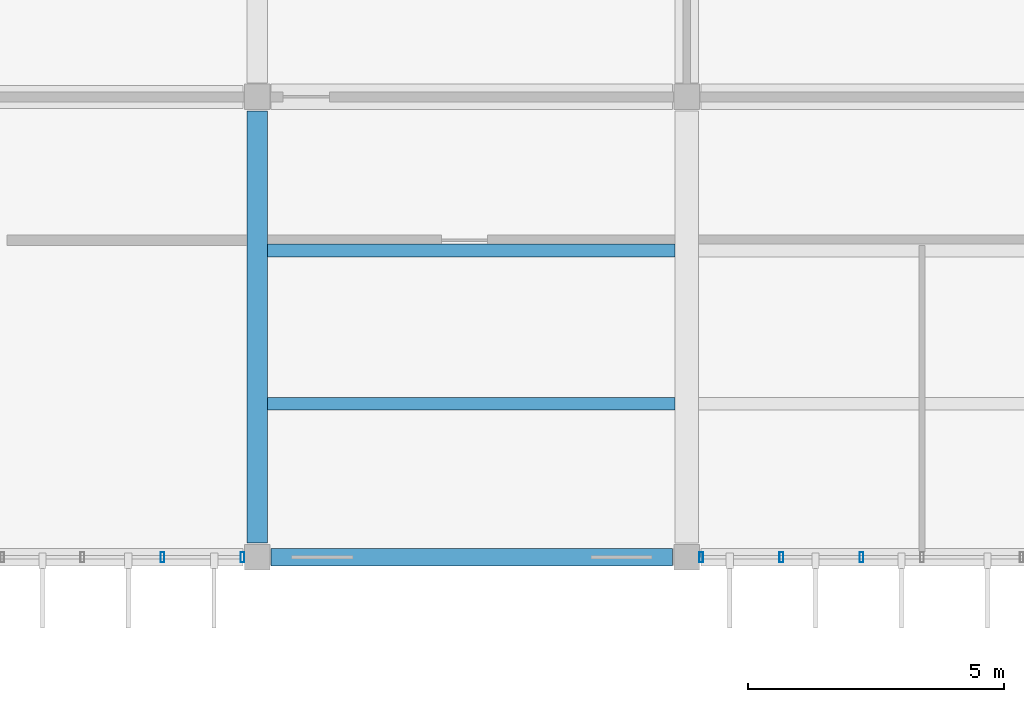
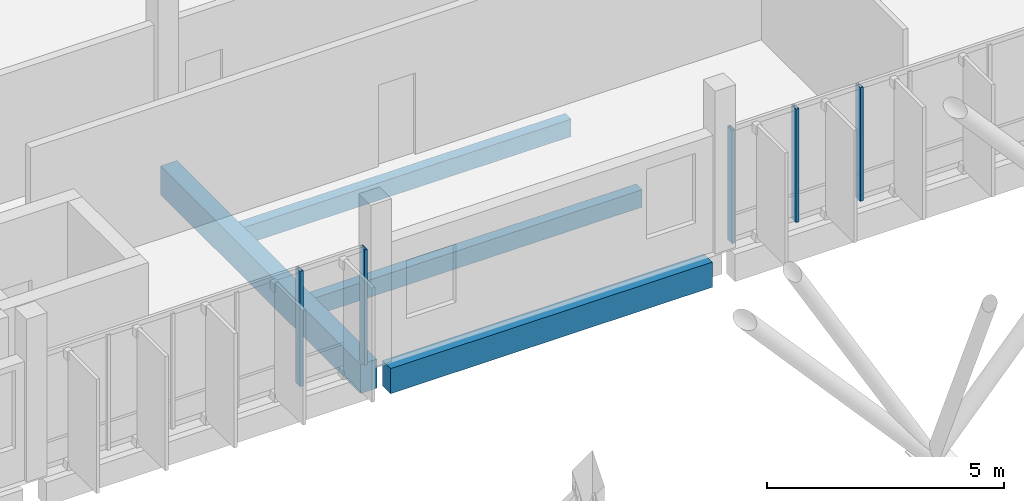
# One storey, part 48 of 107: 5 members, 4 beams, 2 elements without a shape of their own.
"""IFC4 building model written with IfcOpenShell, lengths in metres."""

from ifc_helpers import new_model, si_unit, direction, frame, origin, origin_2d, place, context, subcontext, project, spatial, rectangle, hollow_rectangle, extrude, material, layer, layer_set, material_profile, profile_set, type_object, element, aggregate, save


model = new_model("IFC4")

# Units and contexts
model_context = context("Model", 3, precision=1e-05, world=origin(), true_north=direction((0.0, 1.0)))
body_context = subcontext(model_context, "Body", "Model", "MODEL_VIEW")
ifc_project = project(units=[si_unit("LENGTHUNIT", "METRE"), si_unit("AREAUNIT", "SQUARE_METRE"), si_unit("VOLUMEUNIT", "CUBIC_METRE"), si_unit("PLANEANGLEUNIT", "RADIAN"), si_unit("MASSUNIT", "GRAM", prefix="KILO")], contexts=[model_context])

# Site, building, storey
site_placement = place(None, origin())
site = spatial("IfcSite", under=ifc_project, at=site_placement, CompositionType="ELEMENT")
building_placement = place(site_placement, origin())
building = spatial("IfcBuilding", under=site, at=building_placement, Name="Vireocrest Preparatory School", CompositionType="ELEMENT")
storey_placement = place(building_placement, frame((0.0, 0.0, 13.199951171875)))
storey = spatial("IfcBuildingStorey", under=building, at=storey_placement, Name="L03", CompositionType="ELEMENT", Elevation=13.199951171875)

# Curtain wall, members
ifc_material_1 = material(Name="Thermally broken aluminium EN AW-6063-T6", Category="aluminium")
ifc_layer_1 = layer(ifc_material_1, 0.179931640625)
ifc_layer_set_1 = layer_set([ifc_layer_1], Name="Thermally broken aluminium EN AW-6063-T6")
curtain_wall_type_1 = type_object("IfcCurtainWallType", Name="Library Reading Bay Glazing 7600x4200", PredefinedType="USERDEFINED", material=ifc_layer_set_1)
curtain_wall_1_placement = place(storey_placement, origin())
curtain_wall_1 = element("IfcCurtainWall", 1, at=curtain_wall_1_placement, inside=storey, type_object=curtain_wall_type_1, Name="Curtain Wall CW16 CW_L03_CW16_0590_0948_132", ObjectType="CURTAIN WALL", PredefinedType="USERDEFINED")
ifc_material_profile_1 = material_profile(ifc_material_1, hollow_rectangle(XDim=0.074951171875, YDim=0.199951171875, WallThickness=0.0048828125, at=origin_2d()), Name="ALU 75x200x5")
ifc_profile_set_1 = profile_set([ifc_material_profile_1], Name="Thermally broken aluminium EN AW-6063-T6")
member_type = type_object("IfcMemberType", Name="CW Mullion 75x200x5", PredefinedType="MULLION", material=ifc_profile_set_1)
member_1_placement = place(storey_placement, frame((65.34912109375, 94.800048828125, 0.0), z_axis=(0.0, 0.0, 1.0), x_axis=(1.0, 0.0, 0.0)))
member_1 = element("IfcMember", 2, at=member_1_placement, type_object=member_type, Name="CW Mullion ML3 CW_L03_CW16_0590_0948_132-5", PredefinedType="MULLION", context=body_context, shape_type="SweptSolid", body=[
    extrude(hollow_rectangle(XDim=0.074951171875, YDim=0.199951171875, WallThickness=0.0048828125, at=origin_2d()), origin(), (0.0, 0.0, 1.0), 2.97509765625),
])
member_2_placement = place(storey_placement, frame((66.9150390625, 94.800048828125, 0.0), z_axis=(0.0, 0.0, 1.0), x_axis=(1.0, 0.0, 0.0)))
member_2 = element("IfcMember", 3, at=member_2_placement, type_object=member_type, Name="CW Mullion ML3 CW_L03_CW16_0590_0948_132-6", PredefinedType="MULLION", context=body_context, shape_type="SweptSolid", body=[
    extrude(hollow_rectangle(XDim=0.074951171875, YDim=0.199951171875, WallThickness=0.0048828125, at=origin_2d()), origin(), (0.0, 0.0, 1.0), 2.97509765625),
])
aggregate(curtain_wall_1, [member_1, member_2])

ifc_layer_2 = layer(ifc_material_1, 0.179931640625)
ifc_layer_set_2 = layer_set([ifc_layer_2], Name="Thermally broken aluminium EN AW-6063-T6")
curtain_wall_type_2 = type_object("IfcCurtainWallType", Name="Setback Terrace Glazing 7600x3200", PredefinedType="USERDEFINED", material=ifc_layer_set_2)
curtain_wall_2_placement = place(storey_placement, origin())
curtain_wall_2 = element("IfcCurtainWall", 4, at=curtain_wall_2_placement, inside=storey, type_object=curtain_wall_type_2, Name="Curtain Wall CW17 CW_L03_CW17_0758_0948_132", ObjectType="CURTAIN WALL", PredefinedType="USERDEFINED")
member_3_placement = place(storey_placement, frame((75.885009765625, 94.800048828125, 0.0), z_axis=(0.0, 0.0, 1.0), x_axis=(1.0, 0.0, 0.0)))
member_3 = element("IfcMember", 5, at=member_3_placement, type_object=member_type, Name="CW Mullion ML3 CW_L03_CW17_0758_0948_132-1", PredefinedType="MULLION", context=body_context, shape_type="SweptSolid", body=[
    extrude(hollow_rectangle(XDim=0.074951171875, YDim=0.199951171875, WallThickness=0.0048828125, at=origin_2d()), origin(), (0.0, 0.0, 1.0), 2.925048828125),
])
member_4_placement = place(storey_placement, frame((77.450927734375, 94.800048828125, 0.0), z_axis=(0.0, 0.0, 1.0), x_axis=(1.0, 0.0, 0.0)))
member_4 = element("IfcMember", 6, at=member_4_placement, type_object=member_type, Name="CW Mullion ML3 CW_L03_CW17_0758_0948_132-2", PredefinedType="MULLION", context=body_context, shape_type="SweptSolid", body=[
    extrude(hollow_rectangle(XDim=0.074951171875, YDim=0.199951171875, WallThickness=0.0048828125, at=origin_2d()), origin(), (0.0, 0.0, 1.0), 2.925048828125),
])
member_5_placement = place(storey_placement, frame((79.01708984375, 94.800048828125, 0.0), z_axis=(0.0, 0.0, 1.0), x_axis=(1.0, 0.0, 0.0)))
member_5 = element("IfcMember", 7, at=member_5_placement, type_object=member_type, Name="CW Mullion ML3 CW_L03_CW17_0758_0948_132-3", PredefinedType="MULLION", context=body_context, shape_type="SweptSolid", body=[
    extrude(hollow_rectangle(XDim=0.074951171875, YDim=0.199951171875, WallThickness=0.0048828125, at=origin_2d()), origin(), (0.0, 0.0, 1.0), 2.925048828125),
])
aggregate(curtain_wall_2, [member_3, member_4, member_5])

# Beams
ifc_material_2 = material(Name="Concrete 40 MPa", Category="concrete")
ifc_material_profile_2 = material_profile(ifc_material_2, rectangle(XDim=0.35009765625, YDim=0.64990234375, at=origin_2d()), Name="RC 350x650")
ifc_profile_set_2 = profile_set([ifc_material_profile_2], Name="Concrete 40 MPa")
beam_type_1 = type_object("IfcBeamType", Name="RC Classroom Girder 350x650", PredefinedType="BEAM", material=ifc_profile_set_2)
beam_1_placement = place(storey_placement, frame((67.47509765625, 94.800048828125, -0.56494140625), z_axis=(1.0, 0.0, 0.0), x_axis=(0.0, 1.0, 0.0)))
element("IfcBeam", 8, at=beam_1_placement, inside=storey, type_object=beam_type_1, Name="Primary Girder B05 L03-1083", PredefinedType="BEAM", context=body_context, shape_type="SweptSolid", body=[
    extrude(rectangle(XDim=0.35009765625, YDim=0.64990234375, at=origin_2d()), origin(), (0.0, 0.0, 1.0), 7.849853515625),
])
ifc_material_profile_3 = material_profile(ifc_material_2, rectangle(XDim=0.39990234375, YDim=0.75, at=origin_2d()), Name="RC 400x750")
ifc_profile_set_3 = profile_set([ifc_material_profile_3], Name="Concrete 40 MPa")
beam_type_2 = type_object("IfcBeamType", Name="RC Commons Girder 400x750", PredefinedType="BEAM", material=ifc_profile_set_3)
beam_2_placement = place(storey_placement, frame((67.199951171875, 95.074951171875, -0.614990234375), z_axis=(0.0, 1.0, 0.0), x_axis=(-1.0, 0.0, 0.0)))
element("IfcBeam", 9, at=beam_2_placement, inside=storey, type_object=beam_type_2, Name="Primary Girder B09 L03-1136", PredefinedType="BEAM", context=body_context, shape_type="SweptSolid", body=[
    extrude(rectangle(XDim=0.39990234375, YDim=0.75, at=origin_2d()), origin(), (0.0, 0.0, 1.0), 8.449951171875),
])
ifc_material_profile_4 = material_profile(ifc_material_2, rectangle(XDim=0.25, YDim=0.449951171875, at=origin_2d()), Name="RC 250x450")
ifc_profile_set_4 = profile_set([ifc_material_profile_4], Name="Concrete 40 MPa")
beam_type_3 = type_object("IfcBeamType", Name="RC Secondary Floor Joist 250x450", PredefinedType="JOIST", material=ifc_profile_set_4)
for number, where, z_axis, x_axis, name in (
    (10, (67.39990234375, 97.800048828125, -0.46484375), (1.0, 0.0, 0.0), (0.0, 1.0, 0.0), "Secondary Joist J01 L03-1225"),
    (11, (67.39990234375, 100.800048828125, -0.46484375), (1.0, 0.0, 0.0), (0.0, 1.0, 0.0), "Secondary Joist J01 L03-1226"),
):
    element("IfcBeam", number, at=place(storey_placement, frame(where, z_axis=z_axis, x_axis=x_axis)), inside=storey, type_object=beam_type_3, Name=name, PredefinedType="JOIST", context=body_context, shape_type="SweptSolid", body=[
        extrude(rectangle(XDim=0.25, YDim=0.449951171875, at=origin_2d()), origin(), (0.0, 0.0, 1.0), 7.97509765625),
    ])

save(model, "model.ifc")
